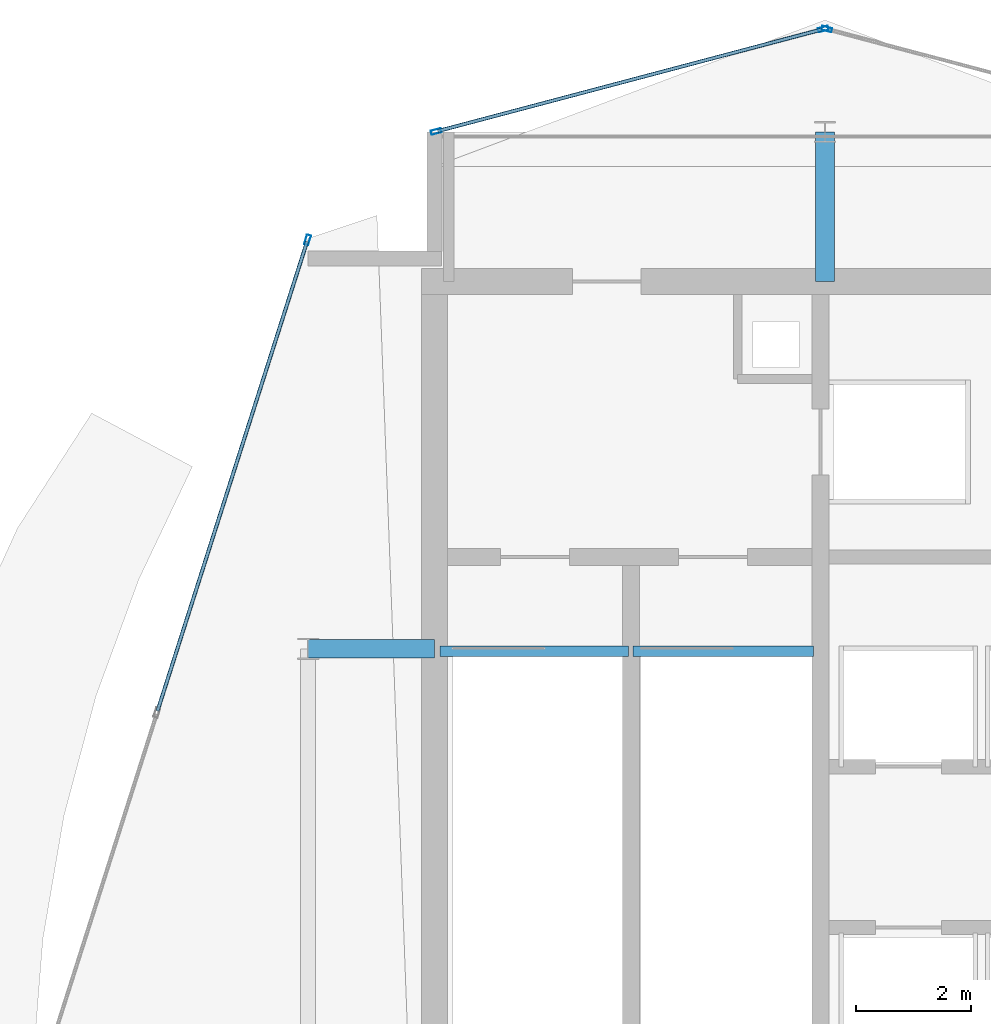
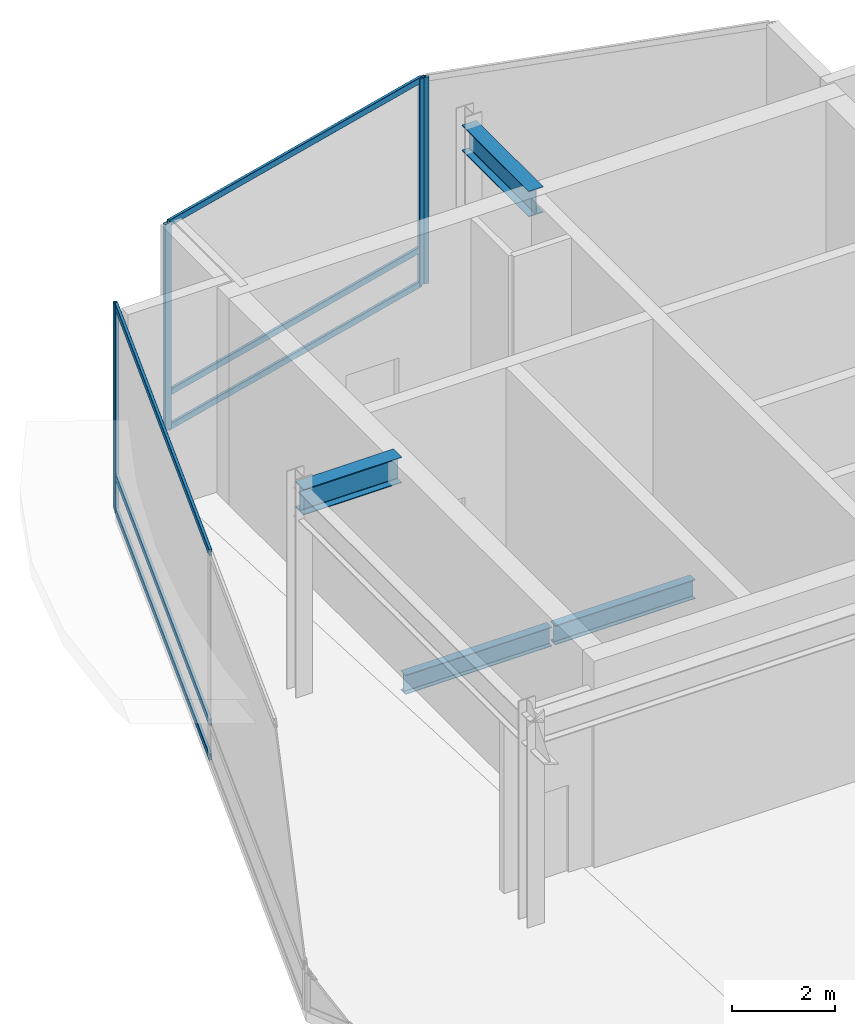
# One storey, part 13 of 19: 10 members, 4 beams, 3 elements without a shape of their own.
"""IFC4 building model written with IfcOpenShell, lengths in metres."""

from ifc_helpers import new_model, si_unit, direction, frame, origin, origin_2d, place, context, subcontext, project, spatial, hollow_rectangle, i_section, extrude, material, layer, layer_set, material_profile, profile_set, type_object, element, aggregate, save


model = new_model("IFC4")

# Units and contexts
model_context = context("Model", 3, precision=1e-05, world=origin(), true_north=direction((0.0, 1.0)))
body_context = subcontext(model_context, "Body", "Model", "MODEL_VIEW")
ifc_project = project(units=[si_unit("LENGTHUNIT", "METRE"), si_unit("AREAUNIT", "SQUARE_METRE"), si_unit("VOLUMEUNIT", "CUBIC_METRE"), si_unit("PLANEANGLEUNIT", "RADIAN"), si_unit("MASSUNIT", "GRAM", prefix="KILO")], contexts=[model_context])

# Site, building, storey
site_placement = place(None, origin())
site = spatial("IfcSite", under=ifc_project, at=site_placement, CompositionType="ELEMENT")
building_placement = place(site_placement, origin())
building = spatial("IfcBuilding", under=site, at=building_placement, Name="Solvaryn Broadcast Tower", CompositionType="ELEMENT")
storey_placement = place(building_placement, frame((0.0, 0.0, 302.60009765625)))
storey = spatial("IfcBuildingStorey", under=building, at=storey_placement, Name="L76", CompositionType="ELEMENT", Elevation=302.60009765625)

# Beams
ifc_material_1 = material(Name="Steel ASTM A992 Grade 50", Category="steel")
ifc_material_profile_1 = material_profile(ifc_material_1, i_section(OverallWidth=0.323974609375, OverallDepth=0.611083984375, WebThickness=0.0126953125, FlangeThickness=0.01904296875, FilletRadius=0.014892578125, at=origin_2d()))
ifc_profile_set_1 = profile_set([ifc_material_profile_1], Name="Steel ASTM A992 Grade 50")
beam_type_1 = type_object("IfcBeamType", Name="BM-B1-W24X104", PredefinedType="BEAM", material=ifc_profile_set_1)
beam_1_placement = place(storey_placement, frame((9.0, 36.0, 4.594482421875), z_axis=(1.0, 0.0, 0.0), x_axis=(0.0, 1.0, 0.0)))
element("IfcBeam", 1, at=beam_1_placement, inside=storey, type_object=beam_type_1, Name="L76 Core Tie Beam CTW1", PredefinedType="BEAM", context=body_context, shape_type="SweptSolid", body=[
    extrude(i_section(OverallWidth=0.323974609375, OverallDepth=0.611083984375, WebThickness=0.0126953125, FlangeThickness=0.01904296875, FilletRadius=0.014892578125, at=origin_2d()), origin(), (0.0, 0.0, 1.0), 2.199951171875),
])
beam_2_placement = place(storey_placement, frame((18.0, 42.39990234375, 4.594482421875), z_axis=(0.0, 1.0, 0.0), x_axis=(-1.0, 0.0, 0.0)))
element("IfcBeam", 2, at=beam_2_placement, inside=storey, type_object=beam_type_1, Name="L76 Core Tie Beam CTW3", PredefinedType="BEAM", context=body_context, shape_type="SweptSolid", body=[
    extrude(i_section(OverallWidth=0.323974609375, OverallDepth=0.611083984375, WebThickness=0.0126953125, FlangeThickness=0.01904296875, FilletRadius=0.014892578125, at=origin_2d()), origin(), (0.0, 0.0, 1.0), 2.60009765625),
])
ifc_material_2 = material(Name="Steel ASTM A992 Grade 50", Category="steel")
ifc_material_profile_2 = material_profile(ifc_material_2, i_section(OverallWidth=0.18994140625, OverallDepth=0.45703125, WebThickness=0.009033203125, FlangeThickness=0.014404296875, FilletRadius=0.011962890625, at=origin_2d()))
ifc_profile_set_2 = profile_set([ifc_material_profile_2], Name="Steel ASTM A992 Grade 50")
beam_type_2 = type_object("IfcBeamType", Name="BM-B4-W18X50", PredefinedType="BEAM", material=ifc_profile_set_2)
beam_3_placement = place(storey_placement, frame((11.300048828125, 35.9599609375, -0.55859375), z_axis=(1.0, 0.0, 0.0), x_axis=(0.0, 1.0, 0.0)))
element("IfcBeam", 3, at=beam_3_placement, inside=storey, type_object=beam_type_2, Name="L76 ST1 Top Stair Well Trimmer Beam", PredefinedType="BEAM", context=body_context, shape_type="SweptSolid", body=[
    extrude(i_section(OverallWidth=0.18994140625, OverallDepth=0.45703125, WebThickness=0.009033203125, FlangeThickness=0.014404296875, FilletRadius=0.011962890625, at=origin_2d()), origin(), (0.0, 0.0, 1.0), 3.280029296875),
])
beam_4_placement = place(storey_placement, frame((14.659912109375, 35.9599609375, -0.55859375), z_axis=(1.0, 0.0, 0.0), x_axis=(0.0, 1.0, 0.0)))
element("IfcBeam", 4, at=beam_4_placement, inside=storey, type_object=beam_type_2, Name="L76 ST2 Top Stair Well Trimmer Beam", PredefinedType="BEAM", context=body_context, shape_type="SweptSolid", body=[
    extrude(i_section(OverallWidth=0.18994140625, OverallDepth=0.45703125, WebThickness=0.009033203125, FlangeThickness=0.014404296875, FilletRadius=0.011962890625, at=origin_2d()), origin(), (0.0, 0.0, 1.0), 3.14013671875),
])

# Curtain wall, member
ifc_material_3 = material(Name="Aluminium and Terracotta Unitised Curtain Wall", Category="masonry")
ifc_layer = layer(ifc_material_3, 0.260009765625)
ifc_layer_set = layer_set([ifc_layer], Name="CW-SYS5-DAMPER")
curtain_wall_type = type_object("IfcCurtainWallType", Name="CW-SYS5-DAMPER", PredefinedType="NOTDEFINED", material=ifc_layer_set)
curtain_wall_1_placement = place(storey_placement, origin())
curtain_wall_1 = element("IfcCurtainWall", 5, at=curtain_wall_1_placement, inside=storey, type_object=curtain_wall_type, Name="L76 Curtain Wall DR1", PredefinedType="NOTDEFINED")
ifc_material_4 = material(Name="Anodised Aluminium 6063-T6", Category="aluminium")
ifc_material_profile_3 = material_profile(ifc_material_4, hollow_rectangle(XDim=0.074951171875, YDim=0.179931640625, WallThickness=0.00390625, InnerFilletRadius=0.00390625, OuterFilletRadius=0.008056640625, at=origin_2d()))
ifc_profile_set_3 = profile_set([ifc_material_profile_3], Name="Anodised Aluminium 6063-T6")
member_type_1 = type_object("IfcMemberType", Name="CW-MUL-180", PredefinedType="MULLION", material=ifc_profile_set_3)
member_1_placement = place(storey_placement, frame((8.990966796875, 43.120361328125, 0.0), z_axis=(0.0, 0.0, 1.0), x_axis=(0.952794594701, -0.30361564569, 0.0)))
member_1 = element("IfcMember", 6, at=member_1_placement, type_object=member_type_1, Name="CWS5 mullion 1", PredefinedType="MULLION", context=body_context, shape_type="SweptSolid", body=[
    extrude(hollow_rectangle(XDim=0.074951171875, YDim=0.179931640625, WallThickness=0.00390625, InnerFilletRadius=0.00390625, OuterFilletRadius=0.008056640625, at=origin_2d()), origin(), (0.0, 0.0, 1.0), 4.89990234375),
])

curtain_wall_2_placement = place(storey_placement, origin())
curtain_wall_2 = element("IfcCurtainWall", 7, at=curtain_wall_2_placement, inside=storey, type_object=curtain_wall_type, Name="L76 Curtain Wall NT1", PredefinedType="NOTDEFINED")
member_2_placement = place(storey_placement, frame((18.029052734375, 46.792236328125, 0.0), z_axis=(0.0, 0.0, 1.0), x_axis=(-0.25589256031, -0.966705227863, 0.0)))
member_2 = element("IfcMember", 8, at=member_2_placement, type_object=member_type_1, Name="CWS5 mullion 2", PredefinedType="MULLION", context=body_context, shape_type="SweptSolid", body=[
    extrude(hollow_rectangle(XDim=0.074951171875, YDim=0.179931640625, WallThickness=0.00390625, InnerFilletRadius=0.00390625, OuterFilletRadius=0.008056640625, at=origin_2d()), origin(), (0.0, 0.0, 1.0), 4.89990234375),
])
aggregate(curtain_wall_2, [member_2])

# Curtain wall, members
curtain_wall_3_placement = place(storey_placement, origin())
curtain_wall_3 = element("IfcCurtainWall", 9, at=curtain_wall_3_placement, inside=storey, type_object=curtain_wall_type, Name="L76 Curtain Wall NT2", PredefinedType="NOTDEFINED")
member_3_placement = place(storey_placement, frame((17.970947265625, 46.792236328125, 0.0), z_axis=(0.0, 0.0, 1.0), x_axis=(0.25589256031, -0.966705227863, 0.0)))
member_3 = element("IfcMember", 10, at=member_3_placement, type_object=member_type_1, Name="CWS5 mullion 1", PredefinedType="MULLION", context=body_context, shape_type="SweptSolid", body=[
    extrude(hollow_rectangle(XDim=0.074951171875, YDim=0.179931640625, WallThickness=0.00390625, InnerFilletRadius=0.00390625, OuterFilletRadius=0.008056640625, at=origin_2d()), origin(), (0.0, 0.0, 1.0), 4.89990234375),
])
member_4_placement = place(storey_placement, frame((11.22900390625, 45.007568359375, 0.0), z_axis=(0.0, 0.0, 1.0), x_axis=(0.25589256031, -0.966705227863, 0.0)))
member_4 = element("IfcMember", 11, at=member_4_placement, type_object=member_type_1, Name="CWS5 mullion 2", PredefinedType="MULLION", context=body_context, shape_type="SweptSolid", body=[
    extrude(hollow_rectangle(XDim=0.074951171875, YDim=0.179931640625, WallThickness=0.00390625, InnerFilletRadius=0.00390625, OuterFilletRadius=0.008056640625, at=origin_2d()), origin(), (0.0, 0.0, 1.0), 4.89990234375),
])

# Member
ifc_material_5 = material(Name="Anodised Aluminium 6063-T6", Category="aluminium")
ifc_material_profile_4 = material_profile(ifc_material_5, hollow_rectangle(XDim=0.06494140625, YDim=0.14990234375, WallThickness=0.00390625, InnerFilletRadius=0.00390625, OuterFilletRadius=0.008056640625, at=origin_2d()))
ifc_profile_set_4 = profile_set([ifc_material_profile_4], Name="Anodised Aluminium 6063-T6")
member_type_2 = type_object("IfcMemberType", Name="CW-TRN-150", PredefinedType="USERDEFINED", material=ifc_profile_set_4)
member_5_placement = place(storey_placement, frame((8.981689453125, 43.091796875, 0.02978515625), z_axis=(-0.303601994388, -0.952798944691, 0.0), x_axis=(0.952798944691, -0.303601994388, 0.0)))
member_5 = element("IfcMember", 12, at=member_5_placement, type_object=member_type_2, Name="CWS5 transom 1.1", ObjectType="TRANSOM", PredefinedType="USERDEFINED", context=body_context, shape_type="SweptSolid", body=[
    extrude(hollow_rectangle(XDim=0.06494140625, YDim=0.14990234375, WallThickness=0.00390625, InnerFilletRadius=0.00390625, OuterFilletRadius=0.008056640625, at=origin_2d()), origin(), (0.0, 0.0, 1.0), 8.575439453125),
])

member_6_placement = place(storey_placement, frame((8.981689453125, 43.091796875, 0.849853515625), z_axis=(-0.303601994388, -0.952798944691, 0.0), x_axis=(0.952798944691, -0.303601994388, 0.0)))
member_6 = element("IfcMember", 13, at=member_6_placement, type_object=member_type_2, Name="CWS5 transom 1.2", ObjectType="TRANSOM", PredefinedType="USERDEFINED", context=body_context, shape_type="SweptSolid", body=[
    extrude(hollow_rectangle(XDim=0.06494140625, YDim=0.14990234375, WallThickness=0.00390625, InnerFilletRadius=0.00390625, OuterFilletRadius=0.008056640625, at=origin_2d()), origin(), (0.0, 0.0, 1.0), 8.575439453125),
])

member_7_placement = place(storey_placement, frame((8.981689453125, 43.091796875, 4.869873046875), z_axis=(-0.303601994388, -0.952798944691, 0.0), x_axis=(0.952798944691, -0.303601994388, 0.0)))
member_7 = element("IfcMember", 14, at=member_7_placement, type_object=member_type_2, Name="CWS5 transom 1.3", ObjectType="TRANSOM", PredefinedType="USERDEFINED", context=body_context, shape_type="SweptSolid", body=[
    extrude(hollow_rectangle(XDim=0.06494140625, YDim=0.14990234375, WallThickness=0.00390625, InnerFilletRadius=0.00390625, OuterFilletRadius=0.008056640625, at=origin_2d()), origin(), (0.0, 0.0, 1.0), 8.575439453125),
])

aggregate(curtain_wall_1, [member_1, member_5, member_6, member_7])

member_8_placement = place(storey_placement, frame((17.94189453125, 46.78466796875, 0.02978515625), z_axis=(-0.966703943301, -0.255897413051, 0.0), x_axis=(0.255897413051, -0.966703943301, 0.0)))
member_8 = element("IfcMember", 15, at=member_8_placement, type_object=member_type_2, Name="CWS5 transom 1.1", ObjectType="TRANSOM", PredefinedType="USERDEFINED", context=body_context, shape_type="SweptSolid", body=[
    extrude(hollow_rectangle(XDim=0.06494140625, YDim=0.14990234375, WallThickness=0.00390625, InnerFilletRadius=0.00390625, OuterFilletRadius=0.008056640625, at=origin_2d()), origin(), (0.0, 0.0, 1.0), 6.9140625),
])

member_9_placement = place(storey_placement, frame((17.94189453125, 46.78466796875, 0.849853515625), z_axis=(-0.966703943301, -0.255897413051, 0.0), x_axis=(0.255897413051, -0.966703943301, 0.0)))
member_9 = element("IfcMember", 16, at=member_9_placement, type_object=member_type_2, Name="CWS5 transom 1.2", ObjectType="TRANSOM", PredefinedType="USERDEFINED", context=body_context, shape_type="SweptSolid", body=[
    extrude(hollow_rectangle(XDim=0.06494140625, YDim=0.14990234375, WallThickness=0.00390625, InnerFilletRadius=0.00390625, OuterFilletRadius=0.008056640625, at=origin_2d()), origin(), (0.0, 0.0, 1.0), 6.9140625),
])

member_10_placement = place(storey_placement, frame((17.94189453125, 46.78466796875, 4.869873046875), z_axis=(-0.966703943301, -0.255897413051, 0.0), x_axis=(0.255897413051, -0.966703943301, 0.0)))
member_10 = element("IfcMember", 17, at=member_10_placement, type_object=member_type_2, Name="CWS5 transom 1.3", ObjectType="TRANSOM", PredefinedType="USERDEFINED", context=body_context, shape_type="SweptSolid", body=[
    extrude(hollow_rectangle(XDim=0.06494140625, YDim=0.14990234375, WallThickness=0.00390625, InnerFilletRadius=0.00390625, OuterFilletRadius=0.008056640625, at=origin_2d()), origin(), (0.0, 0.0, 1.0), 6.9140625),
])

aggregate(curtain_wall_3, [member_3, member_4, member_8, member_9, member_10])

save(model, "model.ifc")
